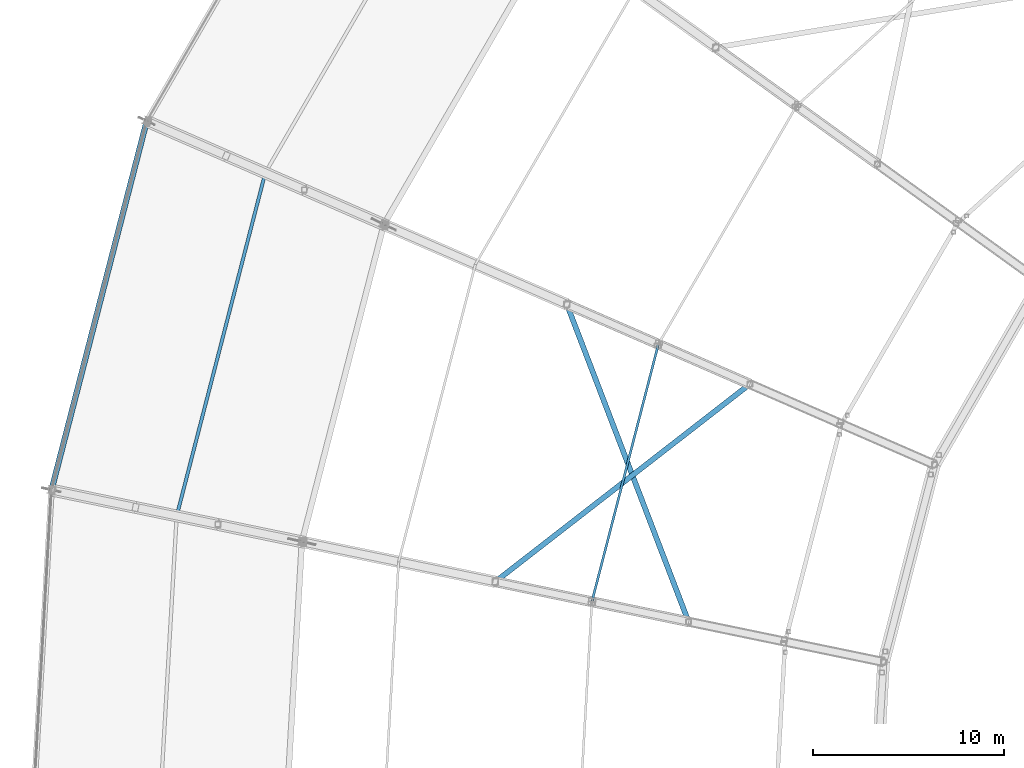
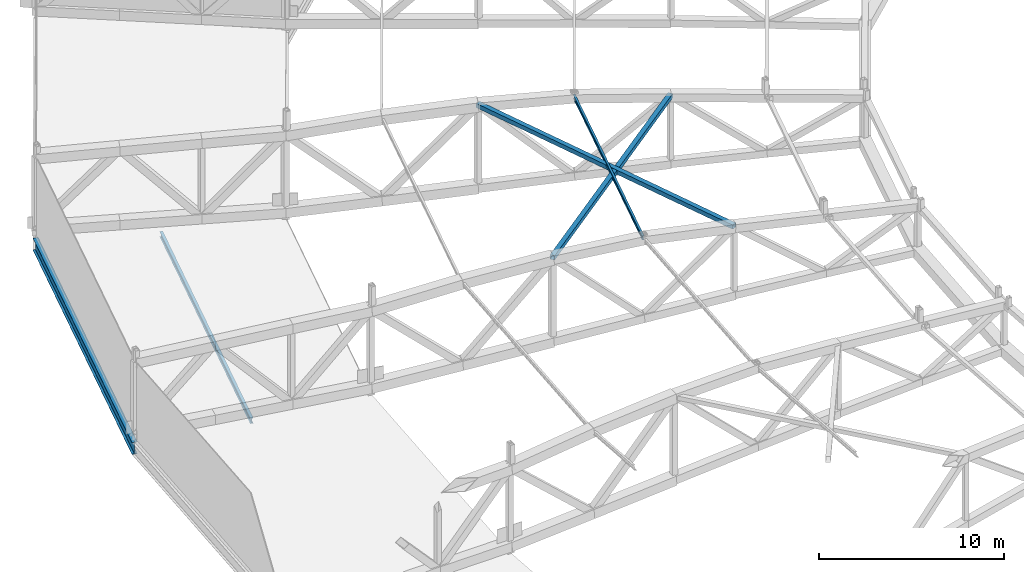
# One storey, part 42 of 162: 3 members, 2 beams.
"""IFC4 building model written with IfcOpenShell, lengths in metres."""

from ifc_helpers import new_model, si_unit, direction, frame, origin, origin_2d, place, context, subcontext, project, spatial, hollow_rectangle, i_section, extrude, material, material_profile, profile_set, type_object, element, save


model = new_model("IFC4")

# Units and contexts
model_context = context("Model", 3, precision=1e-05, world=origin(), true_north=direction((0.0, 1.0)))
body_context = subcontext(model_context, "Body", "Model", "MODEL_VIEW")
ifc_project = project(units=[si_unit("LENGTHUNIT", "METRE"), si_unit("AREAUNIT", "SQUARE_METRE"), si_unit("VOLUMEUNIT", "CUBIC_METRE"), si_unit("PLANEANGLEUNIT", "RADIAN"), si_unit("MASSUNIT", "GRAM", prefix="KILO")], contexts=[model_context])

# Site, building, storey
site_placement = place(None, origin())
site = spatial("IfcSite", under=ifc_project, at=site_placement, CompositionType="ELEMENT")
building_placement = place(site_placement, origin())
building = spatial("IfcBuilding", under=site, at=building_placement, Name="Kazemori Nagisa Stadium", CompositionType="ELEMENT")
storey_placement = place(building_placement, frame((0.0, 0.0, 36.719970703125)))
storey = spatial("IfcBuildingStorey", under=building, at=storey_placement, Name="RF", CompositionType="ELEMENT", Elevation=36.719970703125)

# Beams
ifc_material_1 = material(Name="Steel SN490B", Category="steel")
ifc_material_profile_1 = material_profile(ifc_material_1, i_section(OverallWidth=0.300048828125, OverallDepth=0.800048828125, WebThickness=0.013916015625, FlangeThickness=0.02587890625, FilletRadius=0.01806640625, at=origin_2d()), Name="H-800x300x14x26")
ifc_profile_set_1 = profile_set([ifc_material_profile_1], Name="Steel SN490B")
beam_type_1 = type_object("IfcBeamType", Name="Beam_BG-H800", PredefinedType="BEAM", material=ifc_profile_set_1)
beam_1_placement = place(storey_placement, frame((34.114990234375, 140.74951171875, -0.679931640625), z_axis=(-0.249964097999, -0.968255105699, 0.0), x_axis=(0.968255105699, -0.249964097999, 0.0)))
element("IfcBeam", 1, at=beam_1_placement, inside=storey, type_object=beam_type_1, Name="Roof compression ring beam BG-H800 R3-13", PredefinedType="BEAM", context=body_context, shape_type="SweptSolid", body=[
    extrude(i_section(OverallWidth=0.300048828125, OverallDepth=0.800048828125, WebThickness=0.013916015625, FlangeThickness=0.02587890625, FilletRadius=0.01806640625, at=origin_2d()), origin(), (0.0, 0.0, 1.0), 19.986328125),
])
ifc_material_profile_2 = material_profile(ifc_material_1, i_section(OverallWidth=0.175048828125, OverallDepth=0.35009765625, WebThickness=0.007080078125, FlangeThickness=0.010986328125, FilletRadius=0.012939453125, at=origin_2d()), Name="H-350x175x7x11")
ifc_profile_set_2 = profile_set([ifc_material_profile_2], Name="Steel SN490B")
beam_type_2 = type_object("IfcBeamType", Name="Beam_BJ-H350", PredefinedType="JOIST", material=ifc_profile_set_2)
beam_2_placement = place(storey_placement, frame((40.30078125, 137.896728515625, -0.455078125), z_axis=(-0.249965990044, -0.968254617248, 0.0), x_axis=(0.968254617248, -0.249965990044, 0.0)))
element("IfcBeam", 2, at=beam_2_placement, inside=storey, type_object=beam_type_2, Name="Outer bay joist BJ-H350 RF B13", PredefinedType="JOIST", context=body_context, shape_type="SweptSolid", body=[
    extrude(i_section(OverallWidth=0.175048828125, OverallDepth=0.35009765625, WebThickness=0.007080078125, FlangeThickness=0.010986328125, FilletRadius=0.012939453125, at=origin_2d()), origin(), (0.0, 0.0, 1.0), 18.29736328125),
])

# Members
ifc_material_2 = material(Name="Steel STKR490", Category="steel")
ifc_material_profile_3 = material_profile(ifc_material_2, hollow_rectangle(XDim=0.280029296875, YDim=0.280029296875, WallThickness=0.010009765625, at=origin_2d()), Name="SHS-280x280x10")
ifc_profile_set_3 = profile_set([ifc_material_profile_3], Name="Steel STKR490")
member_type_1 = type_object("IfcMemberType", Name="Member_TB-SHS280", PredefinedType="BRACE", material=ifc_profile_set_3)
member_1_placement = place(storey_placement, frame((56.158447265625, 131.1396484375, 6.6259765625), z_axis=(0.35795985718, -0.933691635736, -0.009201630481), x_axis=(0.933731166084, 0.357975012374, 0.0)))
element("IfcMember", 3, at=member_1_placement, inside=storey, type_object=member_type_1, Name="Roof space truss plan brace B13-1", PredefinedType="BRACE", context=body_context, shape_type="SweptSolid", body=[
    extrude(hollow_rectangle(XDim=0.280029296875, YDim=0.280029296875, WallThickness=0.010009765625, at=origin_2d()), origin(), (0.0, 0.0, 1.0), 17.829833984375),
])
member_2_placement = place(storey_placement, frame((52.401611328125, 116.587158203125, 6.666015625), z_axis=(0.789861556696, 0.613099930634, -0.015073032558), x_axis=(-0.613169589525, 0.789951298804, 0.0)))
element("IfcMember", 4, at=member_2_placement, inside=storey, type_object=member_type_1, Name="Roof space truss plan brace B13-2", PredefinedType="BRACE", context=body_context, shape_type="SweptSolid", body=[
    extrude(hollow_rectangle(XDim=0.280029296875, YDim=0.280029296875, WallThickness=0.010009765625, at=origin_2d()), origin(), (0.0, 0.0, 1.0), 16.909912109375),
])
ifc_material_profile_4 = material_profile(ifc_material_1, i_section(OverallWidth=0.125, OverallDepth=0.25, WebThickness=0.006103515625, FlangeThickness=0.009033203125, FilletRadius=0.008056640625, at=origin_2d()), Name="H-250x125x6x9")
ifc_profile_set_4 = profile_set([ifc_material_profile_4], Name="Steel SN490B")
member_type_2 = type_object("IfcMemberType", Name="Member_TP-H250", PredefinedType="PURLIN", material=ifc_profile_set_4)
member_3_placement = place(storey_placement, frame((60.958251953125, 129.047119140625, 6.758056640625), z_axis=(-0.249959246576, -0.968248633713, 0.003867604389), x_axis=(0.968255875502, -0.249961116088, 0.0)))
element("IfcMember", 5, at=member_3_placement, inside=storey, type_object=member_type_2, Name="Roof purlin TP-H250 B13-P6", PredefinedType="PURLIN", context=body_context, shape_type="SweptSolid", body=[
    extrude(i_section(OverallWidth=0.125, OverallDepth=0.25, WebThickness=0.006103515625, FlangeThickness=0.009033203125, FilletRadius=0.008056640625, at=origin_2d()), origin(), (0.0, 0.0, 1.0), 13.950439453125),
])

save(model, "model.ifc")
